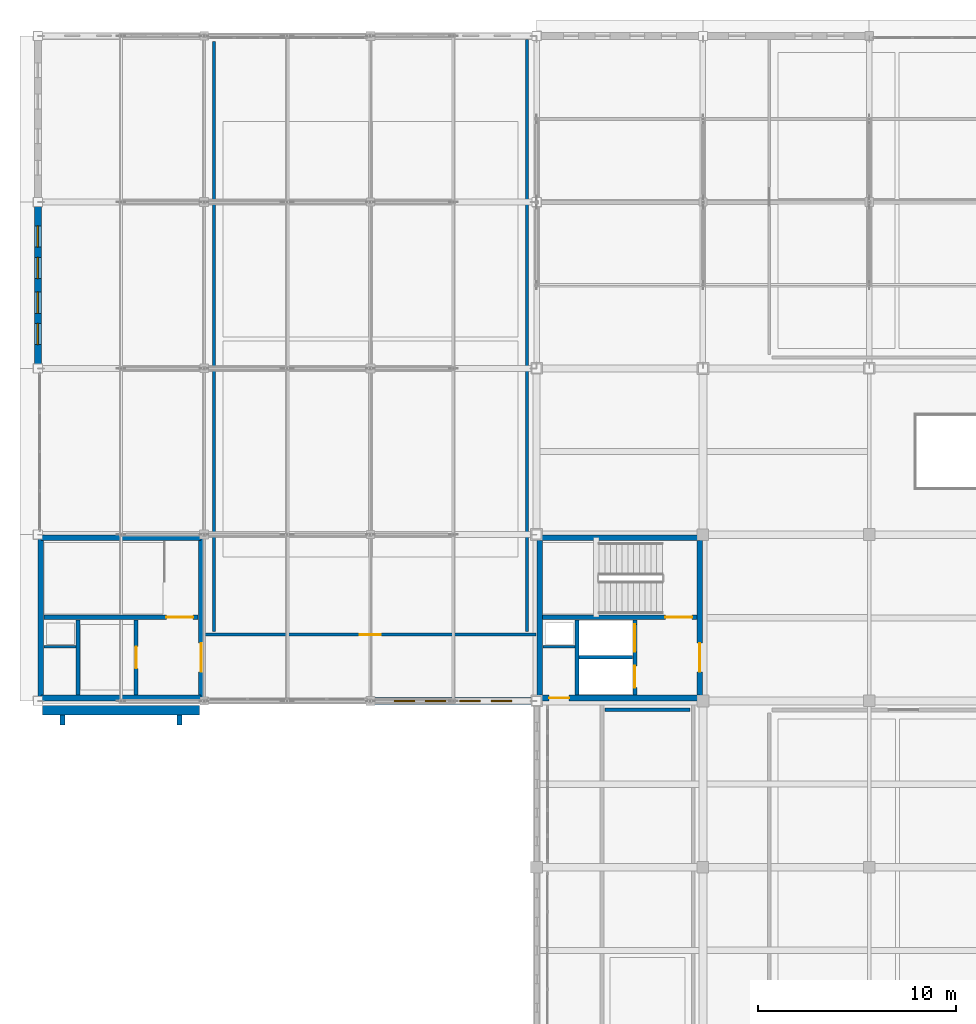
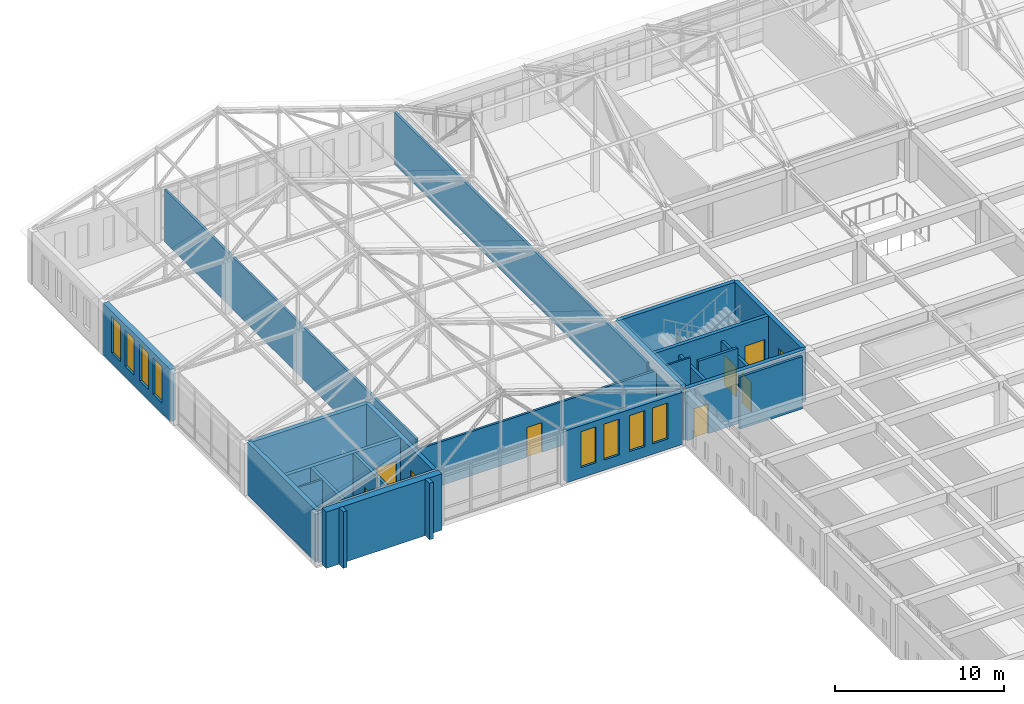
# One storey, part 47 of 56: 26 walls, 9 doors, 8 windows, 17 openings.
"""IFC4 building model written with IfcOpenShell, lengths in metres."""

from ifc_helpers import new_model, si_unit, direction, frame, frame_2d, origin, place, context, subcontext, project, spatial, rectangle, extrude, material, layer, layer_set, type_object, element, fill, save


model = new_model("IFC4")

# Units and contexts
model_context = context("Model", 3, precision=1e-05, world=origin(), true_north=direction((0.0, 1.0)))
body_context = subcontext(model_context, "Body", "Model", "MODEL_VIEW")
ifc_project = project(units=[si_unit("LENGTHUNIT", "METRE"), si_unit("AREAUNIT", "SQUARE_METRE"), si_unit("VOLUMEUNIT", "CUBIC_METRE"), si_unit("PLANEANGLEUNIT", "RADIAN"), si_unit("MASSUNIT", "GRAM", prefix="KILO")], contexts=[model_context])

# Site, building, storey
site_placement = place(None, origin())
site = spatial("IfcSite", under=ifc_project, at=site_placement, CompositionType="ELEMENT")
building_placement = place(site_placement, origin())
building = spatial("IfcBuilding", under=site, at=building_placement, Name="Kveldsbrygga Polytechnic", CompositionType="ELEMENT")
storey_placement = place(building_placement, frame((0.0, 0.0, 18.02001953125)))
storey = spatial("IfcBuildingStorey", under=building, at=storey_placement, Name="L04", CompositionType="ELEMENT", Elevation=18.02001953125)

# Wall
ifc_material_1 = material(Name="Fired clay brick masonry M10", Category="masonry")
ifc_layer_1 = layer(ifc_material_1, 0.47998046875)
ifc_layer_set_1 = layer_set([ifc_layer_1], Name="Fired clay brick masonry M10")
wall_type_1 = type_object("IfcWallType", Name="EW-BAST-480", PredefinedType="SOLIDWALL", material=ifc_layer_set_1)
wall_1_placement = place(storey_placement, frame((101.0400390625, 83.52001953125, 0.0), z_axis=(0.0, 0.0, 1.0), x_axis=(1.0, 0.0, 0.0)))
element("IfcWall", 1, at=wall_1_placement, inside=storey, type_object=wall_type_1, Name="Corner Stair Bastion Wall BAST-L04-X-12-10", PredefinedType="SOLIDWALL", context=body_context, shape_type="SweptSolid", body=[
    extrude(rectangle(XDim=7.919921875, YDim=0.47998046875, at=frame_2d((3.9599609375, 0.0))), origin(), (0.0, 0.0, 1.0), 4.080078125),
])

# Wall, openings, windows
ifc_layer_2 = layer(ifc_material_1, 0.360107421875)
ifc_layer_set_2 = layer_set([ifc_layer_2], Name="Fired clay brick masonry M10")
wall_type_2 = type_object("IfcWallType", Name="EW-BRICK-360", PredefinedType="SOLIDWALL", material=ifc_layer_set_2)
wall_2_placement = place(storey_placement, frame((100.800048828125, 101.02490234375, 0.0), z_axis=(0.0, 0.0, 1.0), x_axis=(0.0, 1.0, 0.0)))
wall_2 = element("IfcWall", 2, at=wall_2_placement, inside=storey, type_object=wall_type_2, Name="Exterior Brick Wall EW-L04-Y-12-12", PredefinedType="SOLIDWALL", context=body_context, shape_type="SweptSolid", body=[
    extrude(rectangle(XDim=7.9501953125, YDim=0.360107421875, at=frame_2d((3.97509765625, 0.0))), origin(), (0.0, 0.0, 1.0), 3.780029296875),
])
opening_1_placement = place(wall_2_placement, frame((0.970458984375, 0.0, 0.75)))
opening_1 = element("IfcOpeningElement", 3, at=opening_1_placement, cuts=wall_2, Name="Opening W-40", PredefinedType="OPENING", context=body_context, shape_type="SweptSolid", body=[
    extrude(rectangle(XDim=1.080078125, YDim=2.64990234375, at=frame_2d((0.5400390625, 1.324951171875))), frame((0.0, 0.18994140625, 0.0), z_axis=(0.0, -1.0, 0.0), x_axis=(1.0, 0.0, 0.0)), (0.0, 0.0, 1.0), 0.380126953125),
])
opening_2_placement = place(wall_2_placement, frame((2.560546875, 0.0, 0.75)))
opening_2 = element("IfcOpeningElement", 4, at=opening_2_placement, cuts=wall_2, Name="Opening W-40", PredefinedType="OPENING", context=body_context, shape_type="SweptSolid", body=[
    extrude(rectangle(XDim=1.080078125, YDim=2.64990234375, at=frame_2d((0.5400390625, 1.324951171875))), frame((0.0, 0.18994140625, 0.0), z_axis=(0.0, -1.0, 0.0), x_axis=(1.0, 0.0, 0.0)), (0.0, 0.0, 1.0), 0.380126953125),
])
opening_3_placement = place(wall_2_placement, frame((4.3095703125, 0.0, 0.75)))
opening_3 = element("IfcOpeningElement", 5, at=opening_3_placement, cuts=wall_2, Name="Opening W-40", PredefinedType="OPENING", context=body_context, shape_type="SweptSolid", body=[
    extrude(rectangle(XDim=1.080078125, YDim=2.64990234375, at=frame_2d((0.5400390625, 1.324951171875))), frame((0.0, 0.18994140625, 0.0), z_axis=(0.0, -1.0, 0.0), x_axis=(1.0, 0.0, 0.0)), (0.0, 0.0, 1.0), 0.380126953125),
])
opening_4_placement = place(wall_2_placement, frame((5.8994140625, 0.0, 0.75)))
opening_4 = element("IfcOpeningElement", 6, at=opening_4_placement, cuts=wall_2, Name="Opening W-40", PredefinedType="OPENING", context=body_context, shape_type="SweptSolid", body=[
    extrude(rectangle(XDim=1.080078125, YDim=2.64990234375, at=frame_2d((0.5400390625, 1.324951171875))), frame((0.0, 0.18994140625, 0.0), z_axis=(0.0, -1.0, 0.0), x_axis=(1.0, 0.0, 0.0)), (0.0, 0.0, 1.0), 0.380126953125),
])
ifc_material_2 = material(Name="Insulated triple low-E glass", Category="glass")
window_type_1 = type_object("IfcWindowType", Name="WN-LANC-108x265", PartitioningType="DOUBLE_PANEL_VERTICAL", PredefinedType="WINDOW", material=ifc_material_2)
window_1_placement = place(opening_1_placement, origin())
window_1 = element("IfcWindow", 7, at=window_1_placement, inside=storey, type_object=window_type_1, Name="Gothic Lancet Window WIN-L04-Y-12-12-1", OverallHeight=2.64990234375, OverallWidth=1.080078125, PartitioningType="DOUBLE_PANEL_VERTICAL", PredefinedType="WINDOW", context=body_context, shape_type="SweptSolid", body=[
    extrude(rectangle(XDim=1.080078125, YDim=2.64990234375, at=frame_2d((0.5400390625, 1.324951171875))), frame((0.0, 0.030029296875, 0.0), z_axis=(0.0, -1.0, 0.0), x_axis=(1.0, 0.0, 0.0)), (0.0, 0.0, 1.0), 0.06005859375),
])
fill(opening_1, window_1)
window_2_placement = place(opening_2_placement, origin())
window_2 = element("IfcWindow", 8, at=window_2_placement, inside=storey, type_object=window_type_1, Name="Gothic Lancet Window WIN-L04-Y-12-12-2", OverallHeight=2.64990234375, OverallWidth=1.080078125, PartitioningType="DOUBLE_PANEL_VERTICAL", PredefinedType="WINDOW", context=body_context, shape_type="SweptSolid", body=[
    extrude(rectangle(XDim=1.080078125, YDim=2.64990234375, at=frame_2d((0.5400390625, 1.324951171875))), frame((0.0, 0.030029296875, 0.0), z_axis=(0.0, -1.0, 0.0), x_axis=(1.0, 0.0, 0.0)), (0.0, 0.0, 1.0), 0.06005859375),
])
fill(opening_2, window_2)
window_3_placement = place(opening_3_placement, origin())
window_3 = element("IfcWindow", 9, at=window_3_placement, inside=storey, type_object=window_type_1, Name="Gothic Lancet Window WIN-L04-Y-12-12-3", OverallHeight=2.64990234375, OverallWidth=1.080078125, PartitioningType="DOUBLE_PANEL_VERTICAL", PredefinedType="WINDOW", context=body_context, shape_type="SweptSolid", body=[
    extrude(rectangle(XDim=1.080078125, YDim=2.64990234375, at=frame_2d((0.5400390625, 1.324951171875))), frame((0.0, 0.030029296875, 0.0), z_axis=(0.0, -1.0, 0.0), x_axis=(1.0, 0.0, 0.0)), (0.0, 0.0, 1.0), 0.06005859375),
])
fill(opening_3, window_3)
window_4_placement = place(opening_4_placement, origin())
window_4 = element("IfcWindow", 10, at=window_4_placement, inside=storey, type_object=window_type_1, Name="Gothic Lancet Window WIN-L04-Y-12-12-4", OverallHeight=2.64990234375, OverallWidth=1.080078125, PartitioningType="DOUBLE_PANEL_VERTICAL", PredefinedType="WINDOW", context=body_context, shape_type="SweptSolid", body=[
    extrude(rectangle(XDim=1.080078125, YDim=2.64990234375, at=frame_2d((0.5400390625, 1.324951171875))), frame((0.0, 0.030029296875, 0.0), z_axis=(0.0, -1.0, 0.0), x_axis=(1.0, 0.0, 0.0)), (0.0, 0.0, 1.0), 0.06005859375),
])
fill(opening_4, window_4)

wall_3_placement = place(storey_placement, frame((117.81005859375, 84.0, 0.0), z_axis=(0.0, 0.0, 1.0), x_axis=(1.0, 0.0, 0.0)))
wall_3 = element("IfcWall", 11, at=wall_3_placement, inside=storey, type_object=wall_type_2, Name="Exterior Brick Wall EW-L04-X-14-10", PredefinedType="SOLIDWALL", context=body_context, shape_type="SweptSolid", body=[
    extrude(rectangle(XDim=7.9150390625, YDim=0.360107421875, at=frame_2d((3.95751953125, 0.0))), origin(), (0.0, 0.0, 1.0), 3.780029296875),
])
opening_5_placement = place(wall_3_placement, frame((0.98388671875, 0.0, 0.75)))
opening_5 = element("IfcOpeningElement", 12, at=opening_5_placement, cuts=wall_3, Name="Opening W-36", PredefinedType="OPENING", context=body_context, shape_type="SweptSolid", body=[
    extrude(rectangle(XDim=1.0400390625, YDim=2.60009765625, at=frame_2d((0.52001953125, 1.300048828125))), frame((0.0, 0.18994140625, 0.0), z_axis=(0.0, -1.0, 0.0), x_axis=(1.0, 0.0, 0.0)), (0.0, 0.0, 1.0), 0.380126953125),
])
opening_6_placement = place(wall_3_placement, frame((2.56689453125, 0.0, 0.75)))
opening_6 = element("IfcOpeningElement", 13, at=opening_6_placement, cuts=wall_3, Name="Opening W-36", PredefinedType="OPENING", context=body_context, shape_type="SweptSolid", body=[
    extrude(rectangle(XDim=1.0400390625, YDim=2.60009765625, at=frame_2d((0.52001953125, 1.300048828125))), frame((0.0, 0.18994140625, 0.0), z_axis=(0.0, -1.0, 0.0), x_axis=(1.0, 0.0, 0.0)), (0.0, 0.0, 1.0), 0.380126953125),
])
opening_7_placement = place(wall_3_placement, frame((4.30810546875, 0.0, 0.75)))
opening_7 = element("IfcOpeningElement", 14, at=opening_7_placement, cuts=wall_3, Name="Opening W-36", PredefinedType="OPENING", context=body_context, shape_type="SweptSolid", body=[
    extrude(rectangle(XDim=1.0400390625, YDim=2.60009765625, at=frame_2d((0.52001953125, 1.300048828125))), frame((0.0, 0.18994140625, 0.0), z_axis=(0.0, -1.0, 0.0), x_axis=(1.0, 0.0, 0.0)), (0.0, 0.0, 1.0), 0.380126953125),
])
opening_8_placement = place(wall_3_placement, frame((5.89111328125, 0.0, 0.75)))
opening_8 = element("IfcOpeningElement", 15, at=opening_8_placement, cuts=wall_3, Name="Opening W-36", PredefinedType="OPENING", context=body_context, shape_type="SweptSolid", body=[
    extrude(rectangle(XDim=1.0400390625, YDim=2.60009765625, at=frame_2d((0.52001953125, 1.300048828125))), frame((0.0, 0.18994140625, 0.0), z_axis=(0.0, -1.0, 0.0), x_axis=(1.0, 0.0, 0.0)), (0.0, 0.0, 1.0), 0.380126953125),
])
window_type_2 = type_object("IfcWindowType", Name="WN-LANC-104x260", PartitioningType="DOUBLE_PANEL_VERTICAL", PredefinedType="WINDOW", material=ifc_material_2)
window_5_placement = place(opening_5_placement, origin())
window_5 = element("IfcWindow", 16, at=window_5_placement, inside=storey, type_object=window_type_2, Name="Gothic Lancet Window WIN-L04-X-14-10-1", OverallHeight=2.60009765625, OverallWidth=1.0400390625, PartitioningType="DOUBLE_PANEL_VERTICAL", PredefinedType="WINDOW", context=body_context, shape_type="SweptSolid", body=[
    extrude(rectangle(XDim=1.0400390625, YDim=2.60009765625, at=frame_2d((0.52001953125, 1.300048828125))), frame((0.0, 0.030029296875, 0.0), z_axis=(0.0, -1.0, 0.0), x_axis=(1.0, 0.0, 0.0)), (0.0, 0.0, 1.0), 0.06005859375),
])
fill(opening_5, window_5)
window_6_placement = place(opening_6_placement, origin())
window_6 = element("IfcWindow", 17, at=window_6_placement, inside=storey, type_object=window_type_2, Name="Gothic Lancet Window WIN-L04-X-14-10-2", OverallHeight=2.60009765625, OverallWidth=1.0400390625, PartitioningType="DOUBLE_PANEL_VERTICAL", PredefinedType="WINDOW", context=body_context, shape_type="SweptSolid", body=[
    extrude(rectangle(XDim=1.0400390625, YDim=2.60009765625, at=frame_2d((0.52001953125, 1.300048828125))), frame((0.0, 0.030029296875, 0.0), z_axis=(0.0, -1.0, 0.0), x_axis=(1.0, 0.0, 0.0)), (0.0, 0.0, 1.0), 0.06005859375),
])
fill(opening_6, window_6)
window_7_placement = place(opening_7_placement, origin())
window_7 = element("IfcWindow", 18, at=window_7_placement, inside=storey, type_object=window_type_2, Name="Gothic Lancet Window WIN-L04-X-14-10-3", OverallHeight=2.60009765625, OverallWidth=1.0400390625, PartitioningType="DOUBLE_PANEL_VERTICAL", PredefinedType="WINDOW", context=body_context, shape_type="SweptSolid", body=[
    extrude(rectangle(XDim=1.0400390625, YDim=2.60009765625, at=frame_2d((0.52001953125, 1.300048828125))), frame((0.0, 0.030029296875, 0.0), z_axis=(0.0, -1.0, 0.0), x_axis=(1.0, 0.0, 0.0)), (0.0, 0.0, 1.0), 0.06005859375),
])
fill(opening_7, window_7)
window_8_placement = place(opening_8_placement, origin())
window_8 = element("IfcWindow", 19, at=window_8_placement, inside=storey, type_object=window_type_2, Name="Gothic Lancet Window WIN-L04-X-14-10-4", OverallHeight=2.60009765625, OverallWidth=1.0400390625, PartitioningType="DOUBLE_PANEL_VERTICAL", PredefinedType="WINDOW", context=body_context, shape_type="SweptSolid", body=[
    extrude(rectangle(XDim=1.0400390625, YDim=2.60009765625, at=frame_2d((0.52001953125, 1.300048828125))), frame((0.0, 0.030029296875, 0.0), z_axis=(0.0, -1.0, 0.0), x_axis=(1.0, 0.0, 0.0)), (0.0, 0.0, 1.0), 0.06005859375),
])
fill(opening_8, window_8)

# Walls
ifc_layer_3 = layer(ifc_material_1, 0.260009765625)
ifc_layer_set_3 = layer_set([ifc_layer_3], Name="Fired clay brick masonry M10")
wall_type_3 = type_object("IfcWallType", Name="EW-BUTT-260", PredefinedType="SOLIDWALL", material=ifc_layer_set_3)
for number, where, z_axis, x_axis, name in (
    (20, (102.050048828125, 83.300048828125, 0.0), (0.0, 0.0, 1.0), (0.0, -1.0, 0.0), "Gothic Brick Buttress Pier BCLAS-L04-X-12-10-1"),
    (21, (107.949951171875, 83.300048828125, 0.0), (0.0, 0.0, 1.0), (0.0, -1.0, 0.0), "Gothic Brick Buttress Pier BCLAS-L04-X-12-10-2"),
):
    element("IfcWall", number, at=place(storey_placement, frame(where, z_axis=z_axis, x_axis=x_axis)), inside=storey, type_object=wall_type_3, Name=name, PredefinedType="SOLIDWALL", context=body_context, shape_type="SweptSolid", body=[
        extrude(rectangle(XDim=0.52001953125, YDim=0.260009765625, at=frame_2d((0.260009765625, 0.0))), origin(), (0.0, 0.0, 1.0), 4.080078125),
    ])
ifc_material_3 = material(Name="Gypsum acoustic stud partition")
ifc_layer_4 = layer(ifc_material_3, 0.179931640625)
ifc_layer_set_4 = layer_set([ifc_layer_4], Name="Gypsum acoustic stud partition")
wall_type_4 = type_object("IfcWallType", Name="IW-CORR-180", PredefinedType="PARTITIONING", material=ifc_layer_set_4)
wall_4_placement = place(storey_placement, frame((129.449951171875, 83.550048828125, 0.0), z_axis=(0.0, 0.0, 1.0), x_axis=(1.0, 0.0, 0.0)))
element("IfcWall", 22, at=wall_4_placement, inside=storey, type_object=wall_type_4, Name="Partition Wall IW-SP-L04-COM2-N1", PredefinedType="PARTITIONING", context=body_context, shape_type="SweptSolid", body=[
    extrude(rectangle(XDim=4.300048828125, YDim=0.179931640625, at=frame_2d((2.14990234375, 0.0))), origin(), (0.0, 0.0, 1.0), 3.780029296875),
])
ifc_material_4 = material(Name="Moisture-resistant masonry M10", Category="masonry")
ifc_layer_5 = layer(ifc_material_4, 0.1298828125)
ifc_layer_set_5 = layer_set([ifc_layer_5], Name="Moisture-resistant masonry M10")
wall_type_5 = type_object("IfcWallType", Name="IW-SAN-130", PredefinedType="PARTITIONING", material=ifc_layer_set_5)
for number, where, z_axis, x_axis, name in (
    (23, (126.320068359375, 86.739990234375, 0.0), (0.0, 0.0, 1.0), (1.0, 0.0, 0.0), "Core AWC Divider C2-L04-W-RSR"),
    (24, (101.1201171875, 86.739990234375, 0.0), (0.0, 0.0, 1.0), (1.0, 0.0, 0.0), "Core AWC Divider C5-L04-W-RSR"),
):
    element("IfcWall", number, at=place(storey_placement, frame(where, z_axis=z_axis, x_axis=x_axis)), inside=storey, type_object=wall_type_5, Name=name, PredefinedType="PARTITIONING", context=body_context, shape_type="SweptSolid", body=[
        extrude(rectangle(XDim=1.619873046875, YDim=0.1298828125, at=frame_2d((0.81005859375, 0.0))), origin(), (0.0, 0.0, 1.0), 3.780029296875),
    ])

# Wall, opening, door
ifc_layer_6 = layer(ifc_material_3, 0.14990234375)
ifc_layer_set_6 = layer_set([ifc_layer_6], Name="Gypsum acoustic stud partition")
wall_type_6 = type_object("IfcWallType", Name="IW-SEM-150", PredefinedType="PARTITIONING", material=ifc_layer_set_6)
wall_5_placement = place(storey_placement, frame((109.22998046875, 87.35009765625, 0.0), z_axis=(0.0, 0.0, 1.0), x_axis=(1.0, 0.0, 0.0)))
wall_5 = element("IfcWall", 25, at=wall_5_placement, inside=storey, type_object=wall_type_6, Name="Partition Wall IW-SP-L04-SEM41-S1", PredefinedType="PARTITIONING", context=body_context, shape_type="SweptSolid", body=[
    extrude(rectangle(XDim=16.739990234375, YDim=0.14990234375, at=frame_2d((8.3701171875, 0.0))), origin(), (0.0, 0.0, 1.0), 3.179931640625),
])
opening_9_placement = place(wall_5_placement, frame((7.844970703125, 0.0, 0.0)))
opening_9 = element("IfcOpeningElement", 26, at=opening_9_placement, cuts=wall_5, Name="Opening ID-L04-087", PredefinedType="OPENING", context=body_context, shape_type="SweptSolid", body=[
    extrude(rectangle(XDim=1.050048828125, YDim=2.14990234375, at=frame_2d((0.52490234375, 1.074951171875))), frame((0.0, 0.0849609375, 0.0), z_axis=(0.0, -1.0, 0.0), x_axis=(1.0, 0.0, 0.0)), (0.0, 0.0, 1.0), 0.169921875),
])
ifc_material_5 = material(Name="Acoustic oak timber", Category="wood")
door_type_1 = type_object("IfcDoorType", Name="ID-SEM-105x215", OperationType="NOTDEFINED", PredefinedType="DOOR", material=ifc_material_5)
door_1_placement = place(opening_9_placement, origin())
door_1 = element("IfcDoor", 27, at=door_1_placement, inside=storey, type_object=door_type_1, Name="Interior Door ID-L04-087", OperationType="SINGLE_SWING_RIGHT", OverallHeight=2.14990234375, OverallWidth=1.050048828125, PredefinedType="DOOR", context=body_context, shape_type="SweptSolid", body=[
    extrude(rectangle(XDim=1.050048828125, YDim=2.14990234375, at=frame_2d((0.52490234375, 1.074951171875))), frame((0.0, 0.02490234375, 0.0), z_axis=(0.0, -1.0, 0.0), x_axis=(1.0, 0.0, 0.0)), (0.0, 0.0, 1.0), 0.050048828125),
])
fill(opening_9, door_1)

# Walls
wall_6_placement = place(storey_placement, frame((109.699951171875, 87.5, 0.0), z_axis=(0.0, 0.0, 1.0), x_axis=(0.0, 1.0, 0.0)))
element("IfcWall", 28, at=wall_6_placement, inside=storey, type_object=wall_type_6, Name="Partition Wall IW-SP-L04-SEM41-W1", PredefinedType="PARTITIONING", context=body_context, shape_type="SweptSolid", body=[
    extrude(rectangle(XDim=29.820068359375, YDim=0.14990234375, at=frame_2d((14.91015625, 0.0))), origin(), (0.0, 0.0, 1.0), 3.780029296875),
])
wall_7_placement = place(storey_placement, frame((125.5, 87.5, 0.0), z_axis=(0.0, 0.0, 1.0), x_axis=(0.0, 1.0, 0.0)))
element("IfcWall", 29, at=wall_7_placement, inside=storey, type_object=wall_type_6, Name="Partition Wall IW-SP-L04-SEM41-E1", PredefinedType="PARTITIONING", context=body_context, shape_type="SweptSolid", body=[
    extrude(rectangle(XDim=29.919921875, YDim=0.14990234375, at=frame_2d((14.9599609375, 0.0))), origin(), (0.0, 0.0, 1.0), 3.780029296875),
])

# Wall, opening, door
ifc_material_6 = material(Name="Concrete C45/55", Category="concrete")
ifc_layer_7 = layer(ifc_material_6, 0.25)
ifc_layer_set_7 = layer_set([ifc_layer_7], Name="Concrete C45/55")
wall_type_7 = type_object("IfcWallType", Name="WL-CORE-250", PredefinedType="SHEAR", material=ifc_layer_set_7)
wall_8_placement = place(storey_placement, frame((126.300048828125, 88.22998046875, 0.0), z_axis=(0.0, 0.0, 1.0), x_axis=(1.0, 0.0, 0.0)))
wall_8 = element("IfcWall", 30, at=wall_8_placement, inside=storey, type_object=wall_type_7, Name="Core C2 Shear Wall C2-L04-W-DIV", PredefinedType="SHEAR", context=body_context, shape_type="SweptSolid", body=[
    extrude(rectangle(XDim=7.800048828125, YDim=0.25, at=frame_2d((3.89990234375, 0.0))), origin(), (0.0, 0.0, 1.0), 3.780029296875),
])
opening_10_placement = place(wall_8_placement, frame((6.199951171875, 0.0, 0.0)))
opening_10 = element("IfcOpeningElement", 31, at=opening_10_placement, cuts=wall_8, Name="Opening FD-C2-L04-ST", PredefinedType="OPENING", context=body_context, shape_type="SweptSolid", body=[
    extrude(rectangle(XDim=1.35009765625, YDim=2.14990234375, at=frame_2d((0.675048828125, 1.074951171875))), frame((0.0, 0.135009765625, 0.0), z_axis=(0.0, -1.0, 0.0), x_axis=(1.0, 0.0, 0.0)), (0.0, 0.0, 1.0), 0.27001953125),
])
ifc_material_7 = material(Name="Powder-coated galvanised steel", Category="steel")
door_type_2 = type_object("IfcDoorType", Name="ID-STAIR-135x215", OperationType="NOTDEFINED", PredefinedType="DOOR", material=ifc_material_7)
door_2_placement = place(opening_10_placement, origin())
door_2 = element("IfcDoor", 32, at=door_2_placement, inside=storey, type_object=door_type_2, Name="Stair Fire Door FD-C2-L04-ST", OperationType="SINGLE_SWING_LEFT", OverallHeight=2.14990234375, OverallWidth=1.35009765625, PredefinedType="DOOR", context=body_context, shape_type="SweptSolid", body=[
    extrude(rectangle(XDim=1.35009765625, YDim=2.14990234375, at=frame_2d((0.675048828125, 1.074951171875))), frame((0.0, 0.02490234375, 0.0), z_axis=(0.0, -1.0, 0.0), x_axis=(1.0, 0.0, 0.0)), (0.0, 0.0, 1.0), 0.050048828125),
])
fill(opening_10, door_2)

wall_9_placement = place(storey_placement, frame((101.10009765625, 88.22998046875, 0.0), z_axis=(0.0, 0.0, 1.0), x_axis=(1.0, 0.0, 0.0)))
wall_9 = element("IfcWall", 33, at=wall_9_placement, inside=storey, type_object=wall_type_7, Name="Core C5 Shear Wall C5-L04-W-DIV", PredefinedType="SHEAR", context=body_context, shape_type="SweptSolid", body=[
    extrude(rectangle(XDim=7.7998046875, YDim=0.25, at=frame_2d((3.89990234375, 0.0))), origin(), (0.0, 0.0, 1.0), 3.780029296875),
])
opening_11_placement = place(wall_9_placement, frame((6.199951171875, 0.0, 0.0)))
opening_11 = element("IfcOpeningElement", 34, at=opening_11_placement, cuts=wall_9, Name="Opening FD-C5-L04-ST", PredefinedType="OPENING", context=body_context, shape_type="SweptSolid", body=[
    extrude(rectangle(XDim=1.35009765625, YDim=2.14990234375, at=frame_2d((0.675048828125, 1.074951171875))), frame((0.0, 0.135009765625, 0.0), z_axis=(0.0, -1.0, 0.0), x_axis=(1.0, 0.0, 0.0)), (0.0, 0.0, 1.0), 0.27001953125),
])
door_3_placement = place(opening_11_placement, origin())
door_3 = element("IfcDoor", 35, at=door_3_placement, inside=storey, type_object=door_type_2, Name="Stair Fire Door FD-C5-L04-ST", OperationType="SINGLE_SWING_LEFT", OverallHeight=2.14990234375, OverallWidth=1.35009765625, PredefinedType="DOOR", context=body_context, shape_type="SweptSolid", body=[
    extrude(rectangle(XDim=1.35009765625, YDim=2.14990234375, at=frame_2d((0.675048828125, 1.074951171875))), frame((0.0, 0.02490234375, 0.0), z_axis=(0.0, -1.0, 0.0), x_axis=(1.0, 0.0, 0.0)), (0.0, 0.0, 1.0), 0.050048828125),
])
fill(opening_11, door_3)

ifc_layer_8 = layer(ifc_material_6, 0.280029296875)
ifc_layer_set_8 = layer_set([ifc_layer_8], Name="Concrete C45/55")
wall_type_8 = type_object("IfcWallType", Name="WL-CORE-280", PredefinedType="SHEAR", material=ifc_layer_set_8)
wall_10_placement = place(storey_placement, frame((126.14990234375, 84.14990234375, 0.0), z_axis=(0.0, 0.0, 1.0), x_axis=(1.0, 0.0, 0.0)))
wall_10 = element("IfcWall", 36, at=wall_10_placement, inside=storey, type_object=wall_type_8, Name="Core C2 Shear Wall C2-L04-SW-S", PredefinedType="SHEAR", context=body_context, shape_type="SweptSolid", body=[
    extrude(rectangle(XDim=8.10009765625, YDim=0.280029296875, at=frame_2d((4.050048828125, 0.0))), origin(), (0.0, 0.0, 1.0), 3.780029296875),
])
opening_12_placement = place(wall_10_placement, frame((0.485107421875, 0.0, 0.0)))
opening_12 = element("IfcOpeningElement", 37, at=opening_12_placement, cuts=wall_10, Name="Opening ID-C2-L04-AWC", PredefinedType="OPENING", context=body_context, shape_type="SweptSolid", body=[
    extrude(rectangle(XDim=1.0, YDim=2.14990234375, at=frame_2d((0.5, 1.074951171875))), frame((0.0, 0.14990234375, 0.0), z_axis=(0.0, -1.0, 0.0), x_axis=(1.0, 0.0, 0.0)), (0.0, 0.0, 1.0), 0.300048828125),
])
door_type_3 = type_object("IfcDoorType", Name="ID-AWC-100x215", OperationType="NOTDEFINED", PredefinedType="DOOR", material=ifc_material_5)
door_4_placement = place(opening_12_placement, origin())
door_4 = element("IfcDoor", 38, at=door_4_placement, inside=storey, type_object=door_type_3, Name="Accessible WC Door ID-C2-L04-AWC", OperationType="SINGLE_SWING_RIGHT", OverallHeight=2.14990234375, OverallWidth=1.0, PredefinedType="DOOR", context=body_context, shape_type="SweptSolid", body=[
    extrude(rectangle(XDim=1.0, YDim=2.14990234375, at=frame_2d((0.5, 1.074951171875))), frame((0.0, 0.02490234375, 0.0), z_axis=(0.0, -1.0, 0.0), x_axis=(1.0, 0.0, 0.0)), (0.0, 0.0, 1.0), 0.050048828125),
])
fill(opening_12, door_4)

# Walls
for number, where, z_axis, x_axis, name in (
    (39, (126.14990234375, 92.25, 0.0), (0.0, 0.0, 1.0), (1.0, 0.0, 0.0), "Core C2 Shear Wall C2-L04-SW-N"),
    (40, (126.14990234375, 84.14990234375, 0.0), (0.0, 0.0, 1.0), (0.0, 1.0, 0.0), "Core C2 Shear Wall C2-L04-SW-W"),
):
    element("IfcWall", number, at=place(storey_placement, frame(where, z_axis=z_axis, x_axis=x_axis)), inside=storey, type_object=wall_type_8, Name=name, PredefinedType="SHEAR", context=body_context, shape_type="SweptSolid", body=[
        extrude(rectangle(XDim=8.10009765625, YDim=0.280029296875, at=frame_2d((4.050048828125, 0.0))), origin(), (0.0, 0.0, 1.0), 3.780029296875),
    ])

# Wall, opening, door
wall_11_placement = place(storey_placement, frame((134.25, 84.14990234375, 0.0), z_axis=(0.0, 0.0, 1.0), x_axis=(0.0, 1.0, 0.0)))
wall_11 = element("IfcWall", 41, at=wall_11_placement, inside=storey, type_object=wall_type_8, Name="Core C2 Shear Wall C2-L04-SW-E", PredefinedType="SHEAR", context=body_context, shape_type="SweptSolid", body=[
    extrude(rectangle(XDim=8.10009765625, YDim=0.280029296875, at=frame_2d((4.050048828125, 0.0))), origin(), (0.0, 0.0, 1.0), 3.780029296875),
])
opening_13_placement = place(wall_11_placement, frame((1.324951171875, 0.0, 0.0)))
opening_13 = element("IfcOpeningElement", 42, at=opening_13_placement, cuts=wall_11, Name="Opening FD-C2-L04-LOB", PredefinedType="OPENING", context=body_context, shape_type="SweptSolid", body=[
    extrude(rectangle(XDim=1.449951171875, YDim=2.14990234375, at=frame_2d((0.72509765625, 1.074951171875))), frame((0.0, 0.14990234375, 0.0), z_axis=(0.0, -1.0, 0.0), x_axis=(1.0, 0.0, 0.0)), (0.0, 0.0, 1.0), 0.300048828125),
])
door_type_4 = type_object("IfcDoorType", Name="ID-LOBBY-145x215", OperationType="DOUBLE_DOOR_SINGLE_SWING", PredefinedType="DOOR", material=ifc_material_7)
door_5_placement = place(opening_13_placement, origin())
door_5 = element("IfcDoor", 43, at=door_5_placement, inside=storey, type_object=door_type_4, Name="Core Lobby Fire Door FD-C2-L04-LOB", OperationType="DOUBLE_DOOR_SINGLE_SWING", OverallHeight=2.14990234375, OverallWidth=1.449951171875, PredefinedType="DOOR", context=body_context, shape_type="SweptSolid", body=[
    extrude(rectangle(XDim=1.449951171875, YDim=2.14990234375, at=frame_2d((0.72509765625, 1.074951171875))), frame((0.0, 0.02490234375, 0.0), z_axis=(0.0, -1.0, 0.0), x_axis=(1.0, 0.0, 0.0)), (0.0, 0.0, 1.0), 0.050048828125),
])
fill(opening_13, door_5)

# Walls
for number, where, z_axis, x_axis, name in (
    (44, (100.949951171875, 84.14990234375, 0.0), (0.0, 0.0, 1.0), (1.0, 0.0, 0.0), "Core C5 Shear Wall C5-L04-SW-S"),
    (45, (100.949951171875, 92.25, 0.0), (0.0, 0.0, 1.0), (1.0, 0.0, 0.0), "Core C5 Shear Wall C5-L04-SW-N"),
    (46, (100.949951171875, 84.14990234375, 0.0), (0.0, 0.0, 1.0), (0.0, 1.0, 0.0), "Core C5 Shear Wall C5-L04-SW-W"),
):
    element("IfcWall", number, at=place(storey_placement, frame(where, z_axis=z_axis, x_axis=x_axis)), inside=storey, type_object=wall_type_8, Name=name, PredefinedType="SHEAR", context=body_context, shape_type="SweptSolid", body=[
        extrude(rectangle(XDim=8.10009765625, YDim=0.280029296875, at=frame_2d((4.050048828125, 0.0))), origin(), (0.0, 0.0, 1.0), 3.780029296875),
    ])

# Wall, opening, door
wall_12_placement = place(storey_placement, frame((109.050048828125, 84.14990234375, 0.0), z_axis=(0.0, 0.0, 1.0), x_axis=(0.0, 1.0, 0.0)))
wall_12 = element("IfcWall", 47, at=wall_12_placement, inside=storey, type_object=wall_type_8, Name="Core C5 Shear Wall C5-L04-SW-E", PredefinedType="SHEAR", context=body_context, shape_type="SweptSolid", body=[
    extrude(rectangle(XDim=8.10009765625, YDim=0.280029296875, at=frame_2d((4.050048828125, 0.0))), origin(), (0.0, 0.0, 1.0), 3.780029296875),
])
opening_14_placement = place(wall_12_placement, frame((1.324951171875, 0.0, 0.0)))
opening_14 = element("IfcOpeningElement", 48, at=opening_14_placement, cuts=wall_12, Name="Opening FD-C5-L04-LOB", PredefinedType="OPENING", context=body_context, shape_type="SweptSolid", body=[
    extrude(rectangle(XDim=1.449951171875, YDim=2.14990234375, at=frame_2d((0.72509765625, 1.074951171875))), frame((0.0, 0.14990234375, 0.0), z_axis=(0.0, -1.0, 0.0), x_axis=(1.0, 0.0, 0.0)), (0.0, 0.0, 1.0), 0.300048828125),
])
door_6_placement = place(opening_14_placement, origin())
door_6 = element("IfcDoor", 49, at=door_6_placement, inside=storey, type_object=door_type_4, Name="Core Lobby Fire Door FD-C5-L04-LOB", OperationType="DOUBLE_DOOR_SINGLE_SWING", OverallHeight=2.14990234375, OverallWidth=1.449951171875, PredefinedType="DOOR", context=body_context, shape_type="SweptSolid", body=[
    extrude(rectangle(XDim=1.449951171875, YDim=2.14990234375, at=frame_2d((0.72509765625, 1.074951171875))), frame((0.0, 0.02490234375, 0.0), z_axis=(0.0, -1.0, 0.0), x_axis=(1.0, 0.0, 0.0)), (0.0, 0.0, 1.0), 0.050048828125),
])
fill(opening_14, door_6)

# Wall
ifc_material_8 = material(Name="Concrete C35/45", Category="concrete")
ifc_layer_9 = layer(ifc_material_8, 0.179931640625)
ifc_layer_set_9 = layer_set([ifc_layer_9], Name="Concrete C35/45")
wall_type_9 = type_object("IfcWallType", Name="WL-SHFT-180", PredefinedType="SHEAR", material=ifc_layer_set_9)
wall_13_placement = place(storey_placement, frame((128.14990234375, 86.199951171875, 0.0), z_axis=(0.0, 0.0, 1.0), x_axis=(1.0, 0.0, 0.0)))
element("IfcWall", 50, at=wall_13_placement, inside=storey, type_object=wall_type_9, Name="Lift Divider Wall C2-L04-W-LMID", PredefinedType="SHEAR", context=body_context, shape_type="SweptSolid", body=[
    extrude(rectangle(XDim=2.7001953125, YDim=0.179931640625, at=frame_2d((1.35009765625, 0.0))), origin(), (0.0, 0.0, 1.0), 3.780029296875),
])

# Wall, openings, doors
ifc_layer_10 = layer(ifc_material_8, 0.199951171875)
ifc_layer_set_10 = layer_set([ifc_layer_10], Name="Concrete C35/45")
wall_type_10 = type_object("IfcWallType", Name="WL-SHFT-200", PredefinedType="SHEAR", material=ifc_layer_set_10)
wall_14_placement = place(storey_placement, frame((130.9599609375, 84.300048828125, 0.0), z_axis=(0.0, 0.0, 1.0), x_axis=(0.0, 1.0, 0.0)))
wall_14 = element("IfcWall", 51, at=wall_14_placement, inside=storey, type_object=wall_type_10, Name="Lift Front Wall C2-L04-W-LFR", PredefinedType="SHEAR", context=body_context, shape_type="SweptSolid", body=[
    extrude(rectangle(XDim=3.800048828125, YDim=0.199951171875, at=frame_2d((1.89990234375, 0.0))), origin(), (0.0, 0.0, 1.0), 3.080078125),
])
opening_15_placement = place(wall_14_placement, frame((0.375, 0.0, 0.0)))
opening_15 = element("IfcOpeningElement", 52, at=opening_15_placement, cuts=wall_14, Name="Opening LD-LP-2", PredefinedType="OPENING", context=body_context, shape_type="SweptSolid", body=[
    extrude(rectangle(XDim=1.10009765625, YDim=2.14990234375, at=frame_2d((0.550048828125, 1.074951171875))), frame((0.0, 0.10986328125, 0.0), z_axis=(0.0, -1.0, 0.0), x_axis=(1.0, 0.0, 0.0)), (0.0, 0.0, 1.0), 0.219970703125),
])
opening_16_placement = place(wall_14_placement, frame((2.175048828125, 0.0, 0.0)))
opening_16 = element("IfcOpeningElement", 53, at=opening_16_placement, cuts=wall_14, Name="Opening LD-GL-1", PredefinedType="OPENING", context=body_context, shape_type="SweptSolid", body=[
    extrude(rectangle(XDim=1.39990234375, YDim=2.199951171875, at=frame_2d((0.699951171875, 1.10009765625))), frame((0.0, 0.10986328125, 0.0), z_axis=(0.0, -1.0, 0.0), x_axis=(1.0, 0.0, 0.0)), (0.0, 0.0, 1.0), 0.219970703125),
])
ifc_material_9 = material(Name="Brushed stainless steel EN 1.4401", Category="steel")
door_type_5 = type_object("IfcDoorType", Name="LD-GDS-140x220", OperationType="SLIDING_TO_LEFT", PredefinedType="DOOR", material=ifc_material_9)
door_7_placement = place(opening_16_placement, origin())
door_7 = element("IfcDoor", 54, at=door_7_placement, inside=storey, type_object=door_type_5, Name="Lift Landing Sliding Door LD-GL-1-L04", OperationType="SLIDING_TO_LEFT", OverallHeight=2.199951171875, OverallWidth=1.39990234375, PredefinedType="DOOR", context=body_context, shape_type="SweptSolid", body=[
    extrude(rectangle(XDim=1.39990234375, YDim=2.199951171875, at=frame_2d((0.699951171875, 1.10009765625))), frame((0.0, 0.02490234375, 0.0), z_axis=(0.0, -1.0, 0.0), x_axis=(1.0, 0.0, 0.0)), (0.0, 0.0, 1.0), 0.050048828125),
])
fill(opening_16, door_7)
door_type_6 = type_object("IfcDoorType", Name="LD-PAX-110x215", OperationType="SLIDING_TO_LEFT", PredefinedType="DOOR", material=ifc_material_9)
door_8_placement = place(opening_15_placement, origin())
door_8 = element("IfcDoor", 55, at=door_8_placement, inside=storey, type_object=door_type_6, Name="Lift Landing Sliding Door LD-LP-2-L04", OperationType="SLIDING_TO_LEFT", OverallHeight=2.14990234375, OverallWidth=1.10009765625, PredefinedType="DOOR", context=body_context, shape_type="SweptSolid", body=[
    extrude(rectangle(XDim=1.10009765625, YDim=2.14990234375, at=frame_2d((0.550048828125, 1.074951171875))), frame((0.0, 0.02490234375, 0.0), z_axis=(0.0, -1.0, 0.0), x_axis=(1.0, 0.0, 0.0)), (0.0, 0.0, 1.0), 0.050048828125),
])
fill(opening_15, door_8)

# Wall
wall_15_placement = place(storey_placement, frame((128.0400390625, 84.300048828125, 0.0), z_axis=(0.0, 0.0, 1.0), x_axis=(0.0, 1.0, 0.0)))
element("IfcWall", 56, at=wall_15_placement, inside=storey, type_object=wall_type_10, Name="Lift Back Wall C2-L04-W-LBK", PredefinedType="SHEAR", context=body_context, shape_type="SweptSolid", body=[
    extrude(rectangle(XDim=3.800048828125, YDim=0.199951171875, at=frame_2d((1.89990234375, 0.0))), origin(), (0.0, 0.0, 1.0), 3.080078125),
])

# Wall, opening, door
wall_16_placement = place(storey_placement, frame((105.760009765625, 84.300048828125, 0.0), z_axis=(0.0, 0.0, 1.0), x_axis=(0.0, 1.0, 0.0)))
wall_16 = element("IfcWall", 57, at=wall_16_placement, inside=storey, type_object=wall_type_10, Name="Lift Front Wall C5-L04-W-LFR", PredefinedType="SHEAR", context=body_context, shape_type="SweptSolid", body=[
    extrude(rectangle(XDim=3.800048828125, YDim=0.199951171875, at=frame_2d((1.89990234375, 0.0))), origin(), (0.0, 0.0, 1.0), 3.780029296875),
])
opening_17_placement = place(wall_16_placement, frame((1.35009765625, 0.0, 0.0)))
opening_17 = element("IfcOpeningElement", 58, at=opening_17_placement, cuts=wall_16, Name="Opening LD-LP-5", PredefinedType="OPENING", context=body_context, shape_type="SweptSolid", body=[
    extrude(rectangle(XDim=1.10009765625, YDim=2.14990234375, at=frame_2d((0.550048828125, 1.074951171875))), frame((0.0, 0.10986328125, 0.0), z_axis=(0.0, -1.0, 0.0), x_axis=(1.0, 0.0, 0.0)), (0.0, 0.0, 1.0), 0.219970703125),
])
door_9_placement = place(opening_17_placement, origin())
door_9 = element("IfcDoor", 59, at=door_9_placement, inside=storey, type_object=door_type_6, Name="Lift Landing Sliding Door LD-LP-5-L04", OperationType="SLIDING_TO_LEFT", OverallHeight=2.14990234375, OverallWidth=1.10009765625, PredefinedType="DOOR", context=body_context, shape_type="SweptSolid", body=[
    extrude(rectangle(XDim=1.10009765625, YDim=2.14990234375, at=frame_2d((0.550048828125, 1.074951171875))), frame((0.0, 0.02490234375, 0.0), z_axis=(0.0, -1.0, 0.0), x_axis=(1.0, 0.0, 0.0)), (0.0, 0.0, 1.0), 0.050048828125),
])
fill(opening_17, door_9)

# Wall
wall_17_placement = place(storey_placement, frame((102.840087890625, 84.300048828125, 0.0), z_axis=(0.0, 0.0, 1.0), x_axis=(0.0, 1.0, 0.0)))
element("IfcWall", 60, at=wall_17_placement, inside=storey, type_object=wall_type_10, Name="Lift Back Wall C5-L04-W-LBK", PredefinedType="SHEAR", context=body_context, shape_type="SweptSolid", body=[
    extrude(rectangle(XDim=3.800048828125, YDim=0.199951171875, at=frame_2d((1.89990234375, 0.0))), origin(), (0.0, 0.0, 1.0), 3.780029296875),
])

save(model, "model.ifc")
